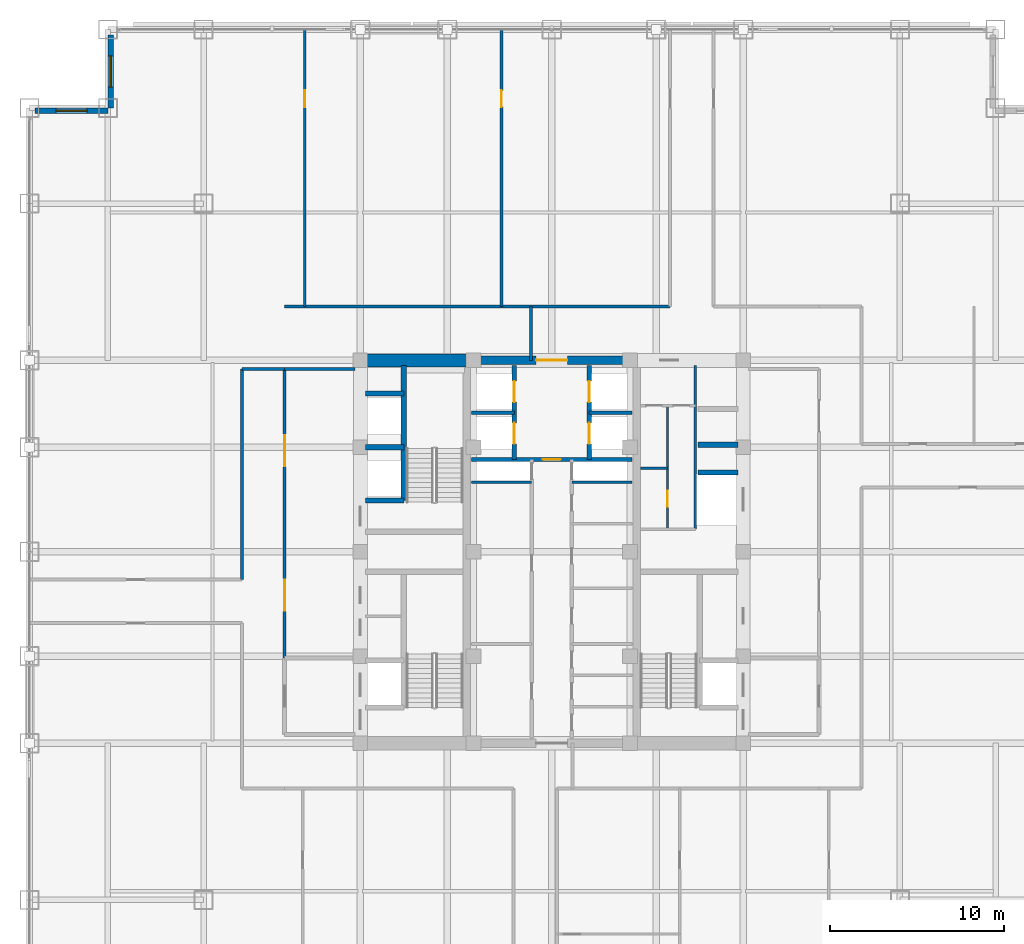
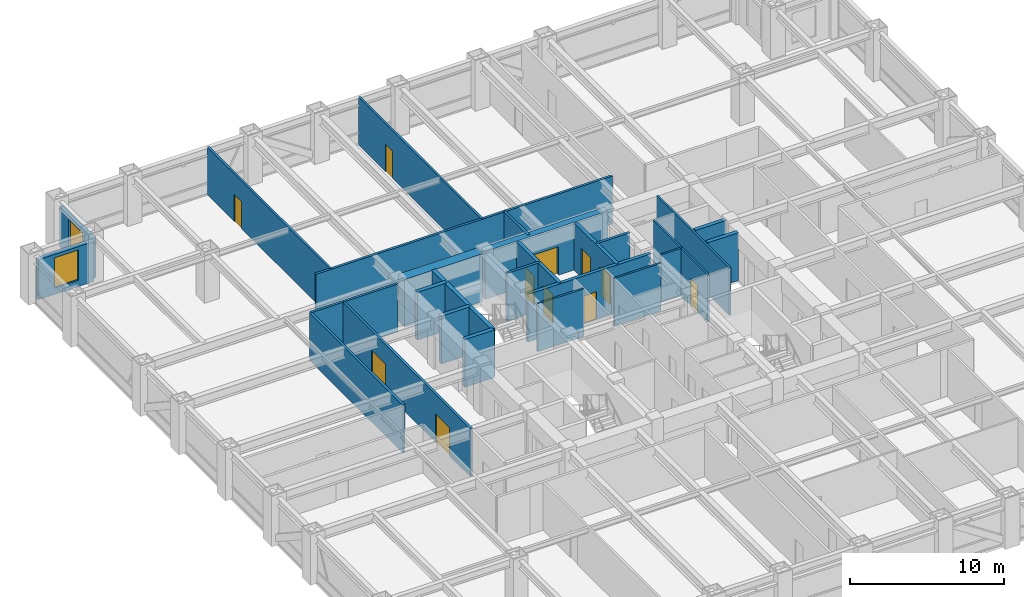
# One storey, part 22 of 28: 28 walls, 11 doors, 2 windows, 13 openings.
"""IFC4 building model written with IfcOpenShell, lengths in metres."""

from ifc_helpers import new_model, si_unit, direction, frame, frame_2d, origin, place, context, subcontext, project, spatial, rectangle, extrude, source, transform, mapped, material, layer, layer_set, type_object, element, fill, save


model = new_model("IFC4")

# Units and contexts
model_context = context("Model", 3, precision=1e-05, world=origin(), true_north=direction((0.0, 1.0)))
body_context = subcontext(model_context, "Body", "Model", "MODEL_VIEW")
ifc_project = project(units=[si_unit("LENGTHUNIT", "METRE"), si_unit("AREAUNIT", "SQUARE_METRE"), si_unit("VOLUMEUNIT", "CUBIC_METRE"), si_unit("PLANEANGLEUNIT", "RADIAN"), si_unit("MASSUNIT", "GRAM", prefix="KILO")], contexts=[model_context])

# Site, building, storey
site_placement = place(None, origin())
site = spatial("IfcSite", under=ifc_project, at=site_placement, CompositionType="ELEMENT")
building_placement = place(site_placement, origin())
building = spatial("IfcBuilding", under=site, at=building_placement, Name="Khorayat Bourse Tower", CompositionType="ELEMENT")
storey_placement = place(building_placement, frame((0.0, 0.0, 183.10009765625)))
storey = spatial("IfcBuildingStorey", under=building, at=storey_placement, Name="L42", CompositionType="ELEMENT", Elevation=183.10009765625)

# Wall
ifc_material_1 = material(Name="Concrete C72/90", Category="concrete")
ifc_layer_1 = layer(ifc_material_1, 0.75)
ifc_layer_set_1 = layer_set([ifc_layer_1], Name="Concrete C72/90")
wall_type_1 = type_object("IfcWallType", Name="WAL-CORE-750", PredefinedType="SHEAR", material=ifc_layer_set_1)
shared_shape_1 = source(origin(), body_context, "Body", "SweptSolid", [
    extrude(rectangle(XDim=5.849853515625, YDim=0.75, at=frame_2d((2.9248046875, 0.0))), origin(), (0.0, 0.0, 1.0), 3.77978515625),
])
wall_1_placement = place(storey_placement, frame((-10.699951171875, 11.0, 0.0), z_axis=(0.0, 0.0, 1.0), x_axis=(1.0, 0.0, 0.0)))
element("IfcWall", 1, at=wall_1_placement, inside=storey, type_object=wall_type_1, Name="L42 Core Shear Wall PIER-WN", PredefinedType="SHEAR", context=body_context, shape_type="MappedRepresentation", body=[
    mapped(shared_shape_1, transform((0.0, 0.0, 0.0), scale=1.0)),
])

# Wall, opening, door
ifc_material_2 = material(Name="Concrete C52/65", Category="concrete")
ifc_layer_2 = layer(ifc_material_2, 0.5)
ifc_layer_set_2 = layer_set([ifc_layer_2], Name="Concrete C52/65")
wall_type_2 = type_object("IfcWallType", Name="WAL-CORE-500", PredefinedType="SHEAR", material=ifc_layer_set_2)
shared_shape_2 = source(origin(), body_context, "Body", "SweptSolid", [
    extrude(rectangle(XDim=9.2001953125, YDim=0.5, at=frame_2d((4.60009765625, 0.0))), origin(), (0.0, 0.0, 1.0), 3.77978515625),
])
wall_2_placement = place(storey_placement, frame((-4.60009765625, 11.0, 0.0), z_axis=(0.0, 0.0, 1.0), x_axis=(1.0, 0.0, 0.0)))
wall_2 = element("IfcWall", 2, at=wall_2_placement, inside=storey, type_object=wall_type_2, Name="L42 Core Shear Wall CORE-N", PredefinedType="SHEAR", context=body_context, shape_type="MappedRepresentation", body=[
    mapped(shared_shape_2, transform((0.0, 0.0, 0.0), scale=1.0)),
])
shared_shape_3 = source(origin(), body_context, "Body", "SweptSolid", [
    extrude(rectangle(XDim=1.800048828125, YDim=2.25, at=frame_2d((0.89990234375, 1.125))), frame((0.0, 0.260009765625, 0.0), z_axis=(0.0, -1.0, 0.0), x_axis=(1.0, 0.0, 0.0)), (0.0, 0.0, 1.0), 0.52001953125),
])
opening_1_placement = place(wall_2_placement, frame((3.699951171875, 0.0, 0.0)))
opening_1 = element("IfcOpeningElement", 3, at=opening_1_placement, cuts=wall_2, Name="Opening DI-03", PredefinedType="OPENING", context=body_context, shape_type="MappedRepresentation", body=[
    mapped(shared_shape_3, transform((0.0, 0.0, 0.0), scale=1.0)),
])
ifc_material_3 = material(Name="Fire-rated hardwood vision-panel double leaf", Category="wood")
door_type_1 = type_object("IfcDoorType", Name="DR-INT-CORR-1800", OperationType="NOTDEFINED", PredefinedType="DOOR", material=ifc_material_3)
shared_shape_4 = source(origin(), body_context, "Body", "SweptSolid", [
    extrude(rectangle(XDim=1.800048828125, YDim=2.25, at=frame_2d((0.89990234375, 1.125))), frame((0.0, 0.02490234375, 0.0), z_axis=(0.0, -1.0, 0.0), x_axis=(1.0, 0.0, 0.0)), (0.0, 0.0, 1.0), 0.050048828125),
])
door_1_placement = place(opening_1_placement, origin())
door_1 = element("IfcDoor", 4, at=door_1_placement, inside=storey, type_object=door_type_1, Name="L42 Mid-Rise Lift Lobby Door", OperationType="SINGLE_SWING_RIGHT", OverallHeight=2.25, OverallWidth=1.800048828125, PredefinedType="DOOR", context=body_context, shape_type="MappedRepresentation", body=[
    mapped(shared_shape_4, transform((0.0, 0.0, 0.0), scale=1.0)),
])
fill(opening_1, door_1)

# Wall, opening, window
ifc_material_4 = material(Name="Precast concrete C45/55", Category="concrete")
ifc_layer_3 = layer(ifc_material_4, 0.320068359375)
ifc_layer_set_3 = layer_set([ifc_layer_3], Name="Precast concrete C45/55")
wall_type_3 = type_object("IfcWallType", Name="WAL-EXT-STONE-320", PredefinedType="STANDARD", material=ifc_layer_set_3)
shared_shape_5 = source(origin(), body_context, "Body", "SweptSolid", [
    extrude(rectangle(XDim=4.179931640625, YDim=0.320068359375, at=frame_2d((2.08984375, 0.0))), origin(), (0.0, 0.0, 1.0), 3.163818359375),
])
wall_3_placement = place(storey_placement, frame((-25.340087890625, 25.5, 0.0), z_axis=(0.0, 0.0, 1.0), x_axis=(0.0, 1.0, 0.0)))
wall_3 = element("IfcWall", 5, at=wall_3_placement, inside=storey, type_object=wall_type_3, Name="L42 Re-Entrant Notch Limestone Wall NW-V", PredefinedType="STANDARD", context=body_context, shape_type="MappedRepresentation", body=[
    mapped(shared_shape_5, transform((0.0, 0.0, 0.0), scale=1.0)),
])
shared_shape_6 = source(origin(), body_context, "Body", "SweptSolid", [
    extrude(rectangle(XDim=1.800048828125, YDim=2.39990234375, at=frame_2d((0.89990234375, 1.199951171875))), frame((0.0, 0.169921875, 0.0), z_axis=(0.0, -1.0, 0.0), x_axis=(1.0, 0.0, 0.0)), (0.0, 0.0, 1.0), 0.340087890625),
])
opening_2_placement = place(wall_3_placement, frame((1.18994140625, 0.0, 0.5)))
opening_2 = element("IfcOpeningElement", 6, at=opening_2_placement, cuts=wall_3, Name="Opening WN-04", PredefinedType="OPENING", context=body_context, shape_type="MappedRepresentation", body=[
    mapped(shared_shape_6, transform((0.0, 0.0, 0.0), scale=1.0)),
])
ifc_material_5 = material(Name="Low-E acoustic laminated double glazing", Category="glass")
window_type = type_object("IfcWindowType", Name="WIN-NOTCH-1800x2400", PartitioningType="SINGLE_PANEL", PredefinedType="WINDOW", material=ifc_material_5)
shared_shape_7 = source(origin(), body_context, "Body", "SweptSolid", [
    extrude(rectangle(XDim=1.800048828125, YDim=2.39990234375, at=frame_2d((0.89990234375, 1.199951171875))), frame((0.0, 0.030029296875, 0.0), z_axis=(0.0, -1.0, 0.0), x_axis=(1.0, 0.0, 0.0)), (0.0, 0.0, 1.0), 0.06005859375),
])
window_1_placement = place(opening_2_placement, origin())
window_1 = element("IfcWindow", 7, at=window_1_placement, inside=storey, type_object=window_type, Name="L42 Facade Window 1", OverallHeight=2.39990234375, OverallWidth=1.800048828125, PartitioningType="SINGLE_PANEL", PredefinedType="WINDOW", context=body_context, shape_type="MappedRepresentation", body=[
    mapped(shared_shape_7, transform((0.0, 0.0, 0.0), scale=1.0)),
])
fill(opening_2, window_1)

wall_4_placement = place(storey_placement, frame((-25.5, 25.340087890625, 0.0), z_axis=(0.0, 0.0, 1.0), x_axis=(-1.0, 0.0, 0.0)))
wall_4 = element("IfcWall", 8, at=wall_4_placement, inside=storey, type_object=wall_type_3, Name="L42 Re-Entrant Notch Limestone Wall NW-H", PredefinedType="STANDARD", context=body_context, shape_type="MappedRepresentation", body=[
    mapped(shared_shape_5, transform((0.0, 0.0, 0.0), scale=1.0)),
])
opening_3_placement = place(wall_4_placement, frame((1.18994140625, 0.0, 0.5)))
opening_3 = element("IfcOpeningElement", 9, at=opening_3_placement, cuts=wall_4, Name="Opening WN-04", PredefinedType="OPENING", context=body_context, shape_type="MappedRepresentation", body=[
    mapped(shared_shape_6, transform((0.0, 0.0, 0.0), scale=1.0)),
])
window_2_placement = place(opening_3_placement, origin())
window_2 = element("IfcWindow", 10, at=window_2_placement, inside=storey, type_object=window_type, Name="L42 Facade Window 1", OverallHeight=2.39990234375, OverallWidth=1.800048828125, PartitioningType="SINGLE_PANEL", PredefinedType="WINDOW", context=body_context, shape_type="MappedRepresentation", body=[
    mapped(shared_shape_7, transform((0.0, 0.0, 0.0), scale=1.0)),
])
fill(opening_3, window_2)

# Walls
ifc_material_6 = material(Name="Concrete C50/60", Category="concrete")
ifc_layer_4 = layer(ifc_material_6, 0.300048828125)
ifc_layer_set_4 = layer_set([ifc_layer_4], Name="Concrete C50/60")
wall_type_4 = type_object("IfcWallType", Name="WAL-SHAFT-300", PredefinedType="SHEAR", material=ifc_layer_set_4)
shared_shape_8 = source(origin(), body_context, "Body", "SweptSolid", [
    extrude(rectangle(XDim=2.199951171875, YDim=0.300048828125, at=frame_2d((1.10009765625, 0.0))), origin(), (0.0, 0.0, 1.0), 3.77978515625),
])
for number, where, z_axis, x_axis, name in (
    (11, (-10.699951171875, 2.949951171875, 0.0), (0.0, 0.0, 1.0), (1.0, 0.0, 0.0), "L42 Partition WAL-L42-WPIER-H1S"),
    (12, (-10.699951171875, 6.0, 0.0), (0.0, 0.0, 1.0), (1.0, 0.0, 0.0), "L42 Partition WAL-L42-WPIER-H12"),
    (13, (-10.699951171875, 9.10009765625, 0.0), (0.0, 0.0, 1.0), (1.0, 0.0, 0.0), "L42 Partition WAL-L42-WPIER-H2N"),
):
    element("IfcWall", number, at=place(storey_placement, frame(where, z_axis=z_axis, x_axis=x_axis)), inside=storey, type_object=wall_type_4, Name=name, PredefinedType="SHEAR", context=body_context, shape_type="MappedRepresentation", body=[
        mapped(shared_shape_8, transform((0.0, 0.0, 0.0), scale=1.0)),
    ])
shared_shape_9 = source(origin(), body_context, "Body", "SweptSolid", [
    extrude(rectangle(XDim=7.75, YDim=0.300048828125, at=frame_2d((3.875, 0.0))), origin(), (0.0, 0.0, 1.0), 3.77978515625),
])
wall_5_placement = place(storey_placement, frame((-8.5, 2.949951171875, 0.0), z_axis=(0.0, 0.0, 1.0), x_axis=(0.0, 1.0, 0.0)))
element("IfcWall", 14, at=wall_5_placement, inside=storey, type_object=wall_type_4, Name="L42 Partition WAL-L42-WPIER-ST2S", PredefinedType="SHEAR", context=body_context, shape_type="MappedRepresentation", body=[
    mapped(shared_shape_9, transform((0.0, 0.0, 0.0), scale=1.0)),
])
shared_shape_10 = source(origin(), body_context, "Body", "SweptSolid", [
    extrude(rectangle(XDim=2.300048828125, YDim=0.300048828125, at=frame_2d((1.14990234375, 0.0))), origin(), (0.0, 0.0, 1.0), 3.77978515625),
])
for number, where, z_axis, x_axis, name in (
    (15, (8.39990234375, 4.550048828125, 0.0), (0.0, 0.0, 1.0), (1.0, 0.0, 0.0), "L42 Partition WAL-L42-EPIER-SVLN"),
    (16, (8.39990234375, 6.14990234375, 0.0), (0.0, 0.0, 1.0), (1.0, 0.0, 0.0), "L42 Partition WAL-L42-EPIER-H3S"),
):
    element("IfcWall", number, at=place(storey_placement, frame(where, z_axis=z_axis, x_axis=x_axis)), inside=storey, type_object=wall_type_4, Name=name, PredefinedType="SHEAR", context=body_context, shape_type="MappedRepresentation", body=[
        mapped(shared_shape_10, transform((0.0, 0.0, 0.0), scale=1.0)),
    ])
ifc_material_7 = material(Name="Moisture-resistant masonry partition", Category="masonry")
ifc_layer_5 = layer(ifc_material_7, 0.139892578125)
ifc_layer_set_5 = layer_set([ifc_layer_5], Name="Moisture-resistant masonry partition")
wall_type_5 = type_object("IfcWallType", Name="WAL-PART-WET-140", PredefinedType="PARTITIONING", material=ifc_layer_set_5)
shared_shape_11 = source(origin(), body_context, "Body", "SweptSolid", [
    extrude(rectangle(XDim=9.39990234375, YDim=0.139892578125, at=frame_2d((4.699951171875, 0.0))), origin(), (0.0, 0.0, 1.0), 3.77978515625),
])
wall_6_placement = place(storey_placement, frame((8.25, 1.300048828125, 0.0), z_axis=(0.0, 0.0, 1.0), x_axis=(0.0, 1.0, 0.0)))
element("IfcWall", 17, at=wall_6_placement, inside=storey, type_object=wall_type_5, Name="L42 Partition WAL-L42-ECORE-E", PredefinedType="PARTITIONING", context=body_context, shape_type="MappedRepresentation", body=[
    mapped(shared_shape_11, transform((0.0, 0.0, 0.0), scale=1.0)),
])
ifc_material_8 = material(Name="Gypsum plasterboard acoustic stud wall")
ifc_layer_6 = layer(ifc_material_8, 0.179931640625)
ifc_layer_set_6 = layer_set([ifc_layer_6], Name="Gypsum plasterboard acoustic stud wall")
wall_type_6 = type_object("IfcWallType", Name="WAL-PART-CORR-180", PredefinedType="PARTITIONING", material=ifc_layer_set_6)
shared_shape_12 = source(origin(), body_context, "Body", "SweptSolid", [
    extrude(rectangle(XDim=4.050048828125, YDim=0.179931640625, at=frame_2d((2.02490234375, 0.0))), origin(), (0.0, 0.0, 1.0), 3.77978515625),
])
wall_7_placement = place(storey_placement, frame((-15.35009765625, 10.5, 0.0), z_axis=(0.0, 0.0, 1.0), x_axis=(1.0, 0.0, 0.0)))
element("IfcWall", 18, at=wall_7_placement, inside=storey, type_object=wall_type_6, Name="L42 Partition WAL-L42-WLOB-N", PredefinedType="PARTITIONING", context=body_context, shape_type="MappedRepresentation", body=[
    mapped(shared_shape_12, transform((0.0, 0.0, 0.0), scale=1.0)),
])

# Wall, openings, doors
shared_shape_13 = source(origin(), body_context, "Body", "SweptSolid", [
    extrude(rectangle(XDim=16.60009765625, YDim=0.179931640625, at=frame_2d((8.300048828125, 0.0))), origin(), (0.0, 0.0, 1.0), 3.77978515625),
])
wall_8_placement = place(storey_placement, frame((-15.35009765625, -6.10009765625, 0.0), z_axis=(0.0, 0.0, 1.0), x_axis=(0.0, 1.0, 0.0)))
wall_8 = element("IfcWall", 19, at=wall_8_placement, inside=storey, type_object=wall_type_6, Name="L42 Partition WAL-L42-WLOB-W", PredefinedType="PARTITIONING", context=body_context, shape_type="MappedRepresentation", body=[
    mapped(shared_shape_13, transform((0.0, 0.0, 0.0), scale=1.0)),
])
shared_shape_14 = source(origin(), body_context, "Body", "SweptSolid", [
    extrude(rectangle(XDim=1.800048828125, YDim=2.25, at=frame_2d((0.89990234375, 1.125))), frame((0.0, 0.099853515625, 0.0), z_axis=(0.0, -1.0, 0.0), x_axis=(1.0, 0.0, 0.0)), (0.0, 0.0, 1.0), 0.199951171875),
])
opening_4_placement = place(wall_8_placement, frame((2.699951171875, 0.0, 0.0)))
opening_4 = element("IfcOpeningElement", 20, at=opening_4_placement, cuts=wall_8, Name="Opening DI-03", PredefinedType="OPENING", context=body_context, shape_type="MappedRepresentation", body=[
    mapped(shared_shape_14, transform((0.0, 0.0, 0.0), scale=1.0)),
])
opening_5_placement = place(wall_8_placement, frame((11.0, 0.0, 0.0)))
opening_5 = element("IfcOpeningElement", 21, at=opening_5_placement, cuts=wall_8, Name="Opening DI-03", PredefinedType="OPENING", context=body_context, shape_type="MappedRepresentation", body=[
    mapped(shared_shape_14, transform((0.0, 0.0, 0.0), scale=1.0)),
])
door_2_placement = place(opening_4_placement, origin())
door_2 = element("IfcDoor", 22, at=door_2_placement, inside=storey, type_object=door_type_1, Name="L42 West Core Lobby South Door", OperationType="SINGLE_SWING_LEFT", OverallHeight=2.25, OverallWidth=1.800048828125, PredefinedType="DOOR", context=body_context, shape_type="MappedRepresentation", body=[
    mapped(shared_shape_4, transform((0.0, 0.0, 0.0), scale=1.0)),
])
fill(opening_4, door_2)
door_3_placement = place(opening_5_placement, origin())
door_3 = element("IfcDoor", 23, at=door_3_placement, inside=storey, type_object=door_type_1, Name="L42 West Core Lobby North Door", OperationType="SINGLE_SWING_RIGHT", OverallHeight=2.25, OverallWidth=1.800048828125, PredefinedType="DOOR", context=body_context, shape_type="MappedRepresentation", body=[
    mapped(shared_shape_4, transform((0.0, 0.0, 0.0), scale=1.0)),
])
fill(opening_5, door_3)

# Walls
ifc_material_9 = material(Name="Gypsum plasterboard twin-frame partition")
ifc_layer_7 = layer(ifc_material_9, 0.14990234375)
ifc_layer_set_7 = layer_set([ifc_layer_7], Name="Gypsum plasterboard twin-frame partition")
wall_type_7 = type_object("IfcWallType", Name="WAL-PART-SUITE-150", PredefinedType="PARTITIONING", material=ifc_layer_set_7)
shared_shape_15 = source(origin(), body_context, "Body", "SweptSolid", [
    extrude(rectangle(XDim=3.4501953125, YDim=0.14990234375, at=frame_2d((1.72509765625, 0.0))), origin(), (0.0, 0.0, 1.0), 3.77978515625),
])
for number, where, z_axis, x_axis, name in (
    (24, (-4.60009765625, 4.0, 0.0), (0.0, 0.0, 1.0), (1.0, 0.0, 0.0), "L42 Partition WAL-L42-CRSW-S"),
    (25, (1.14990234375, 4.0, 0.0), (0.0, 0.0, 1.0), (1.0, 0.0, 0.0), "L42 Partition WAL-L42-CRSE-S"),
):
    element("IfcWall", number, at=place(storey_placement, frame(where, z_axis=z_axis, x_axis=x_axis)), inside=storey, type_object=wall_type_7, Name=name, PredefinedType="PARTITIONING", context=body_context, shape_type="MappedRepresentation", body=[
        mapped(shared_shape_15, transform((0.0, 0.0, 0.0), scale=1.0)),
    ])

# Wall, openings, doors
shared_shape_16 = source(origin(), body_context, "Body", "SweptSolid", [
    extrude(rectangle(XDim=5.39990234375, YDim=0.25, at=frame_2d((2.699951171875, 0.0))), origin(), (0.0, 0.0, 1.0), 3.77978515625),
])
wall_9_placement = place(storey_placement, frame((-2.14990234375, 5.300048828125, 0.0), z_axis=(0.0, 0.0, 1.0), x_axis=(0.0, 1.0, 0.0)))
wall_9 = element("IfcWall", 26, at=wall_9_placement, inside=storey, type_object=wall_type_4, Name="L42 Partition WAL-L42-B2-W", PredefinedType="SHEAR", context=body_context, shape_type="MappedRepresentation", body=[
    mapped(shared_shape_16, transform((0.0, 0.0, 0.0), scale=1.0)),
])
shared_shape_17 = source(origin(), body_context, "Body", "SweptSolid", [
    extrude(rectangle(XDim=1.199951171875, YDim=2.300048828125, at=frame_2d((0.60009765625, 1.14990234375))), frame((0.0, 0.135009765625, 0.0), z_axis=(0.0, -1.0, 0.0), x_axis=(1.0, 0.0, 0.0)), (0.0, 0.0, 1.0), 0.27001953125),
])
opening_6_placement = place(wall_9_placement, frame((3.300048828125, 0.0, 0.0)))
opening_6 = element("IfcOpeningElement", 27, at=opening_6_placement, cuts=wall_9, Name="Opening LD-01", PredefinedType="OPENING", context=body_context, shape_type="MappedRepresentation", body=[
    mapped(shared_shape_17, transform((0.0, 0.0, 0.0), scale=1.0)),
])
opening_7_placement = place(wall_9_placement, frame((0.89990234375, 0.0, 0.0)))
opening_7 = element("IfcOpeningElement", 28, at=opening_7_placement, cuts=wall_9, Name="Opening LD-01", PredefinedType="OPENING", context=body_context, shape_type="MappedRepresentation", body=[
    mapped(shared_shape_17, transform((0.0, 0.0, 0.0), scale=1.0)),
])
ifc_material_10 = material(Name="Brushed bronze stainless-steel sliding door", Category="steel")
door_type_2 = type_object("IfcDoorType", Name="DR-LIFT-PASS-1200", OperationType="NOTDEFINED", PredefinedType="DOOR", material=ifc_material_10)
shared_shape_18 = source(origin(), body_context, "Body", "SweptSolid", [
    extrude(rectangle(XDim=1.199951171875, YDim=2.300048828125, at=frame_2d((0.60009765625, 1.14990234375))), frame((0.0, 0.02490234375, 0.0), z_axis=(0.0, -1.0, 0.0), x_axis=(1.0, 0.0, 0.0)), (0.0, 0.0, 1.0), 0.050048828125),
])
door_4_placement = place(opening_6_placement, origin())
door_4 = element("IfcDoor", 29, at=door_4_placement, inside=storey, type_object=door_type_2, Name="L42 Lift PL-M1 Sliding Landing Door", OperationType="SLIDING_TO_LEFT", OverallHeight=2.300048828125, OverallWidth=1.199951171875, PredefinedType="DOOR", context=body_context, shape_type="MappedRepresentation", body=[
    mapped(shared_shape_18, transform((0.0, 0.0, 0.0), scale=1.0)),
])
fill(opening_6, door_4)
door_5_placement = place(opening_7_placement, origin())
door_5 = element("IfcDoor", 30, at=door_5_placement, inside=storey, type_object=door_type_2, Name="L42 Lift PL-M3 Sliding Landing Door", OperationType="SLIDING_TO_LEFT", OverallHeight=2.300048828125, OverallWidth=1.199951171875, PredefinedType="DOOR", context=body_context, shape_type="MappedRepresentation", body=[
    mapped(shared_shape_18, transform((0.0, 0.0, 0.0), scale=1.0)),
])
fill(opening_7, door_5)

wall_10_placement = place(storey_placement, frame((2.14990234375, 5.300048828125, 0.0), z_axis=(0.0, 0.0, 1.0), x_axis=(0.0, 1.0, 0.0)))
wall_10 = element("IfcWall", 31, at=wall_10_placement, inside=storey, type_object=wall_type_4, Name="L42 Partition WAL-L42-B2-E", PredefinedType="SHEAR", context=body_context, shape_type="MappedRepresentation", body=[
    mapped(shared_shape_16, transform((0.0, 0.0, 0.0), scale=1.0)),
])
opening_8_placement = place(wall_10_placement, frame((3.300048828125, 0.0, 0.0)))
opening_8 = element("IfcOpeningElement", 32, at=opening_8_placement, cuts=wall_10, Name="Opening LD-01", PredefinedType="OPENING", context=body_context, shape_type="MappedRepresentation", body=[
    mapped(shared_shape_17, transform((0.0, 0.0, 0.0), scale=1.0)),
])
opening_9_placement = place(wall_10_placement, frame((0.89990234375, 0.0, 0.0)))
opening_9 = element("IfcOpeningElement", 33, at=opening_9_placement, cuts=wall_10, Name="Opening LD-01", PredefinedType="OPENING", context=body_context, shape_type="MappedRepresentation", body=[
    mapped(shared_shape_17, transform((0.0, 0.0, 0.0), scale=1.0)),
])
door_6_placement = place(opening_8_placement, origin())
door_6 = element("IfcDoor", 34, at=door_6_placement, inside=storey, type_object=door_type_2, Name="L42 Lift PL-M2 Sliding Landing Door", OperationType="SLIDING_TO_LEFT", OverallHeight=2.300048828125, OverallWidth=1.199951171875, PredefinedType="DOOR", context=body_context, shape_type="MappedRepresentation", body=[
    mapped(shared_shape_18, transform((0.0, 0.0, 0.0), scale=1.0)),
])
fill(opening_8, door_6)
door_7_placement = place(opening_9_placement, origin())
door_7 = element("IfcDoor", 35, at=door_7_placement, inside=storey, type_object=door_type_2, Name="L42 Lift PL-M4 Sliding Landing Door", OperationType="SLIDING_TO_LEFT", OverallHeight=2.300048828125, OverallWidth=1.199951171875, PredefinedType="DOOR", context=body_context, shape_type="MappedRepresentation", body=[
    mapped(shared_shape_18, transform((0.0, 0.0, 0.0), scale=1.0)),
])
fill(opening_9, door_7)

# Walls
shared_shape_19 = source(origin(), body_context, "Body", "SweptSolid", [
    extrude(rectangle(XDim=2.4501953125, YDim=0.199951171875, at=frame_2d((1.22509765625, 0.0))), origin(), (0.0, 0.0, 1.0), 3.77978515625),
])
for number, where, z_axis, x_axis, name in (
    (36, (-4.60009765625, 8.0, 0.0), (0.0, 0.0, 1.0), (1.0, 0.0, 0.0), "L42 Partition WAL-L42-B2-MW"),
    (37, (2.14990234375, 8.0, 0.0), (0.0, 0.0, 1.0), (1.0, 0.0, 0.0), "L42 Partition WAL-L42-B2-ME"),
):
    element("IfcWall", number, at=place(storey_placement, frame(where, z_axis=z_axis, x_axis=x_axis)), inside=storey, type_object=wall_type_4, Name=name, PredefinedType="SHEAR", context=body_context, shape_type="MappedRepresentation", body=[
        mapped(shared_shape_19, transform((0.0, 0.0, 0.0), scale=1.0)),
    ])

# Wall, opening, door
shared_shape_20 = source(origin(), body_context, "Body", "SweptSolid", [
    extrude(rectangle(XDim=9.2001953125, YDim=0.25, at=frame_2d((4.60009765625, 0.0))), origin(), (0.0, 0.0, 1.0), 3.77978515625),
])
wall_11_placement = place(storey_placement, frame((-4.60009765625, 5.300048828125, 0.0), z_axis=(0.0, 0.0, 1.0), x_axis=(1.0, 0.0, 0.0)))
wall_11 = element("IfcWall", 38, at=wall_11_placement, inside=storey, type_object=wall_type_4, Name="L42 Partition WAL-L42-B2-S", PredefinedType="SHEAR", context=body_context, shape_type="MappedRepresentation", body=[
    mapped(shared_shape_20, transform((0.0, 0.0, 0.0), scale=1.0)),
])
shared_shape_21 = source(origin(), body_context, "Body", "SweptSolid", [
    extrude(rectangle(XDim=1.050048828125, YDim=2.199951171875, at=frame_2d((0.52490234375, 1.10009765625))), frame((0.0, 0.135009765625, 0.0), z_axis=(0.0, -1.0, 0.0), x_axis=(1.0, 0.0, 0.0)), (0.0, 0.0, 1.0), 0.27001953125),
])
opening_10_placement = place(wall_11_placement, frame((4.074951171875, 0.0, 0.0)))
opening_10 = element("IfcOpeningElement", 39, at=opening_10_placement, cuts=wall_11, Name="Opening DI-04", PredefinedType="OPENING", context=body_context, shape_type="MappedRepresentation", body=[
    mapped(shared_shape_21, transform((0.0, 0.0, 0.0), scale=1.0)),
])
ifc_material_11 = material(Name="Fire-rated oak veneer suite entrance door")
door_type_3 = type_object("IfcDoorType", Name="DR-INT-SUITE-1050", OperationType="NOTDEFINED", PredefinedType="DOOR", material=ifc_material_11)
shared_shape_22 = source(origin(), body_context, "Body", "SweptSolid", [
    extrude(rectangle(XDim=1.050048828125, YDim=2.199951171875, at=frame_2d((0.52490234375, 1.10009765625))), frame((0.0, 0.02490234375, 0.0), z_axis=(0.0, -1.0, 0.0), x_axis=(1.0, 0.0, 0.0)), (0.0, 0.0, 1.0), 0.050048828125),
])
door_8_placement = place(opening_10_placement, origin())
door_8 = element("IfcDoor", 40, at=door_8_placement, inside=storey, type_object=door_type_3, Name="L42 Core Spine North Door", OperationType="SINGLE_SWING_RIGHT", OverallHeight=2.199951171875, OverallWidth=1.050048828125, PredefinedType="DOOR", context=body_context, shape_type="MappedRepresentation", body=[
    mapped(shared_shape_22, transform((0.0, 0.0, 0.0), scale=1.0)),
])
fill(opening_10, door_8)

# Walls
shared_shape_23 = source(origin(), body_context, "Body", "SweptSolid", [
    extrude(rectangle(XDim=2.449951171875, YDim=0.179931640625, at=frame_2d((1.22509765625, 0.0))), origin(), (0.0, 0.0, 1.0), 3.77978515625),
])
wall_12_placement = place(storey_placement, frame((-17.800048828125, 10.5, 0.0), z_axis=(0.0, 0.0, 1.0), x_axis=(1.0, 0.0, 0.0)))
element("IfcWall", 41, at=wall_12_placement, inside=storey, type_object=wall_type_6, Name="L42 Partition WAL-L42-C2-WN", PredefinedType="PARTITIONING", context=body_context, shape_type="MappedRepresentation", body=[
    mapped(shared_shape_23, transform((0.0, 0.0, 0.0), scale=1.0)),
])
shared_shape_24 = source(origin(), body_context, "Body", "SweptSolid", [
    extrude(rectangle(XDim=3.10009765625, YDim=0.179931640625, at=frame_2d((1.550048828125, 0.0))), origin(), (0.0, 0.0, 1.0), 3.77978515625),
])
wall_13_placement = place(storey_placement, frame((-1.199951171875, 11.0, 0.0), z_axis=(0.0, 0.0, 1.0), x_axis=(0.0, 1.0, 0.0)))
element("IfcWall", 42, at=wall_13_placement, inside=storey, type_object=wall_type_6, Name="L42 Partition WAL-L42-C2-NCW", PredefinedType="PARTITIONING", context=body_context, shape_type="MappedRepresentation", body=[
    mapped(shared_shape_24, transform((0.0, 0.0, 0.0), scale=1.0)),
])

# Wall, opening, door
shared_shape_25 = source(origin(), body_context, "Body", "SweptSolid", [
    extrude(rectangle(XDim=15.89990234375, YDim=0.14990234375, at=frame_2d((7.949951171875, 0.0))), origin(), (0.0, 0.0, 1.0), 3.77978515625),
])
wall_14_placement = place(storey_placement, frame((-14.195068359375, 14.10009765625, 0.0), z_axis=(0.0, 0.0, 1.0), x_axis=(0.0, 1.0, 0.0)))
wall_14 = element("IfcWall", 43, at=wall_14_placement, inside=storey, type_object=wall_type_7, Name="L42 Partition WAL-L42-QNWDV-1", PredefinedType="PARTITIONING", context=body_context, shape_type="MappedRepresentation", body=[
    mapped(shared_shape_25, transform((0.0, 0.0, 0.0), scale=1.0)),
])
shared_shape_26 = source(origin(), body_context, "Body", "SweptSolid", [
    extrude(rectangle(XDim=0.949951171875, YDim=2.14990234375, at=frame_2d((0.47509765625, 1.074951171875))), frame((0.0, 0.0849609375, 0.0), z_axis=(0.0, -1.0, 0.0), x_axis=(1.0, 0.0, 0.0)), (0.0, 0.0, 1.0), 0.169921875),
])
opening_11_placement = place(wall_14_placement, frame((11.449951171875, 0.0, 0.0)))
opening_11 = element("IfcOpeningElement", 44, at=opening_11_placement, cuts=wall_14, Name="Opening DI-05", PredefinedType="OPENING", context=body_context, shape_type="MappedRepresentation", body=[
    mapped(shared_shape_26, transform((0.0, 0.0, 0.0), scale=1.0)),
])
ifc_material_12 = material(Name="Acoustic oak veneer office door")
door_type_4 = type_object("IfcDoorType", Name="DR-INT-OFFICE-950", OperationType="NOTDEFINED", PredefinedType="DOOR", material=ifc_material_12)
shared_shape_27 = source(origin(), body_context, "Body", "SweptSolid", [
    extrude(rectangle(XDim=0.949951171875, YDim=2.14990234375, at=frame_2d((0.47509765625, 1.074951171875))), frame((0.0, 0.02490234375, 0.0), z_axis=(0.0, -1.0, 0.0), x_axis=(1.0, 0.0, 0.0)), (0.0, 0.0, 1.0), 0.050048828125),
])
door_9_placement = place(opening_11_placement, origin())
door_9 = element("IfcDoor", 45, at=door_9_placement, inside=storey, type_object=door_type_4, Name="L42 North-West Suite Link 1", OperationType="SINGLE_SWING_RIGHT", OverallHeight=2.14990234375, OverallWidth=0.949951171875, PredefinedType="DOOR", context=body_context, shape_type="MappedRepresentation", body=[
    mapped(shared_shape_27, transform((0.0, 0.0, 0.0), scale=1.0)),
])
fill(opening_11, door_9)

wall_15_placement = place(storey_placement, frame((-2.889892578125, 14.10009765625, 0.0), z_axis=(0.0, 0.0, 1.0), x_axis=(0.0, 1.0, 0.0)))
wall_15 = element("IfcWall", 46, at=wall_15_placement, inside=storey, type_object=wall_type_7, Name="L42 Partition WAL-L42-QNWDV-2", PredefinedType="PARTITIONING", context=body_context, shape_type="MappedRepresentation", body=[
    mapped(shared_shape_25, transform((0.0, 0.0, 0.0), scale=1.0)),
])
opening_12_placement = place(wall_15_placement, frame((11.449951171875, 0.0, 0.0)))
opening_12 = element("IfcOpeningElement", 47, at=opening_12_placement, cuts=wall_15, Name="Opening DI-05", PredefinedType="OPENING", context=body_context, shape_type="MappedRepresentation", body=[
    mapped(shared_shape_26, transform((0.0, 0.0, 0.0), scale=1.0)),
])
door_10_placement = place(opening_12_placement, origin())
door_10 = element("IfcDoor", 48, at=door_10_placement, inside=storey, type_object=door_type_4, Name="L42 North-West Suite Link 2", OperationType="SINGLE_SWING_LEFT", OverallHeight=2.14990234375, OverallWidth=0.949951171875, PredefinedType="DOOR", context=body_context, shape_type="MappedRepresentation", body=[
    mapped(shared_shape_27, transform((0.0, 0.0, 0.0), scale=1.0)),
])
fill(opening_12, door_10)

shared_shape_28 = source(origin(), body_context, "Body", "SweptSolid", [
    extrude(rectangle(XDim=7.099853515625, YDim=0.139892578125, at=frame_2d((3.5498046875, 0.0))), origin(), (0.0, 0.0, 1.0), 3.77978515625),
])
wall_16_placement = place(storey_placement, frame((6.64990234375, 1.300048828125, 0.0), z_axis=(0.0, 0.0, 1.0), x_axis=(0.0, 1.0, 0.0)))
wall_16 = element("IfcWall", 49, at=wall_16_placement, inside=storey, type_object=wall_type_5, Name="L42 Partition WAL-L42-ECW-MID", PredefinedType="PARTITIONING", context=body_context, shape_type="MappedRepresentation", body=[
    mapped(shared_shape_28, transform((0.0, 0.0, 0.0), scale=1.0)),
])
shared_shape_29 = source(origin(), body_context, "Body", "SweptSolid", [
    extrude(rectangle(XDim=0.89990234375, YDim=2.14990234375, at=frame_2d((0.449951171875, 1.074951171875))), frame((0.0, 0.079833984375, 0.0), z_axis=(0.0, -1.0, 0.0), x_axis=(1.0, 0.0, 0.0)), (0.0, 0.0, 1.0), 0.159912109375),
])
opening_13_placement = place(wall_16_placement, frame((1.300048828125, 0.0, 0.0)))
opening_13 = element("IfcOpeningElement", 50, at=opening_13_placement, cuts=wall_16, Name="Opening DI-06", PredefinedType="OPENING", context=body_context, shape_type="MappedRepresentation", body=[
    mapped(shared_shape_29, transform((0.0, 0.0, 0.0), scale=1.0)),
])
ifc_material_13 = material(Name="Moisture-resistant laminate washroom door")
door_type_5 = type_object("IfcDoorType", Name="DR-INT-WC-900", OperationType="NOTDEFINED", PredefinedType="DOOR", material=ifc_material_13)
shared_shape_30 = source(origin(), body_context, "Body", "SweptSolid", [
    extrude(rectangle(XDim=0.89990234375, YDim=2.14990234375, at=frame_2d((0.449951171875, 1.074951171875))), frame((0.0, 0.02490234375, 0.0), z_axis=(0.0, -1.0, 0.0), x_axis=(1.0, 0.0, 0.0)), (0.0, 0.0, 1.0), 0.050048828125),
])
door_11_placement = place(opening_13_placement, origin())
door_11 = element("IfcDoor", 51, at=door_11_placement, inside=storey, type_object=door_type_5, Name="L42 Janitor Store Door", OperationType="SINGLE_SWING_LEFT", OverallHeight=2.14990234375, OverallWidth=0.89990234375, PredefinedType="DOOR", context=body_context, shape_type="MappedRepresentation", body=[
    mapped(shared_shape_30, transform((0.0, 0.0, 0.0), scale=1.0)),
])
fill(opening_13, door_11)

# Walls
shared_shape_31 = source(origin(), body_context, "Body", "SweptSolid", [
    extrude(rectangle(XDim=1.5498046875, YDim=0.139892578125, at=frame_2d((0.77490234375, 0.0))), origin(), (0.0, 0.0, 1.0), 3.77978515625),
])
wall_17_placement = place(storey_placement, frame((5.10009765625, 4.800048828125, 0.0), z_axis=(0.0, 0.0, 1.0), x_axis=(1.0, 0.0, 0.0)))
element("IfcWall", 52, at=wall_17_placement, inside=storey, type_object=wall_type_5, Name="L42 Partition WAL-L42-ECW-BOT", PredefinedType="PARTITIONING", context=body_context, shape_type="MappedRepresentation", body=[
    mapped(shared_shape_31, transform((0.0, 0.0, 0.0), scale=1.0)),
])
shared_shape_32 = source(origin(), body_context, "Body", "SweptSolid", [
    extrude(rectangle(XDim=22.150146484375, YDim=0.179931640625, at=frame_2d((11.0751953125, 0.0))), origin(), (0.0, 0.0, 1.0), 3.77978515625),
])
wall_18_placement = place(storey_placement, frame((-15.35009765625, 14.10009765625, 0.0), z_axis=(0.0, 0.0, 1.0), x_axis=(1.0, 0.0, 0.0)))
element("IfcWall", 53, at=wall_18_placement, inside=storey, type_object=wall_type_6, Name="L42 Partition WAL-L42-QNW-HC", PredefinedType="PARTITIONING", context=body_context, shape_type="MappedRepresentation", body=[
    mapped(shared_shape_32, transform((0.0, 0.0, 0.0), scale=1.0)),
])
shared_shape_33 = source(origin(), body_context, "Body", "SweptSolid", [
    extrude(rectangle(XDim=12.10009765625, YDim=0.179931640625, at=frame_2d((6.050048828125, 0.0))), origin(), (0.0, 0.0, 1.0), 3.77978515625),
])
wall_19_placement = place(storey_placement, frame((-17.800048828125, -1.60009765625, 0.0), z_axis=(0.0, 0.0, 1.0), x_axis=(0.0, 1.0, 0.0)))
element("IfcWall", 54, at=wall_19_placement, inside=storey, type_object=wall_type_6, Name="L42 Partition WAL-L42-WN-IN", PredefinedType="PARTITIONING", context=body_context, shape_type="MappedRepresentation", body=[
    mapped(shared_shape_33, transform((0.0, 0.0, 0.0), scale=1.0)),
])

save(model, "model.ifc")
